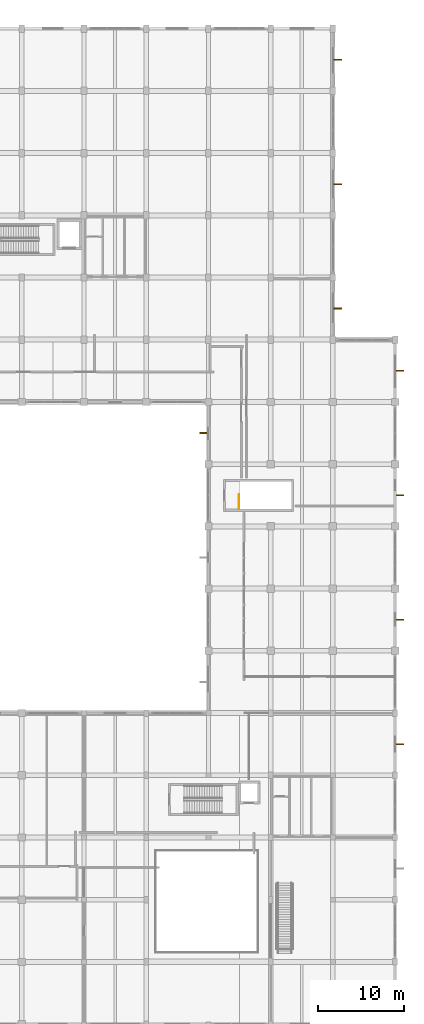
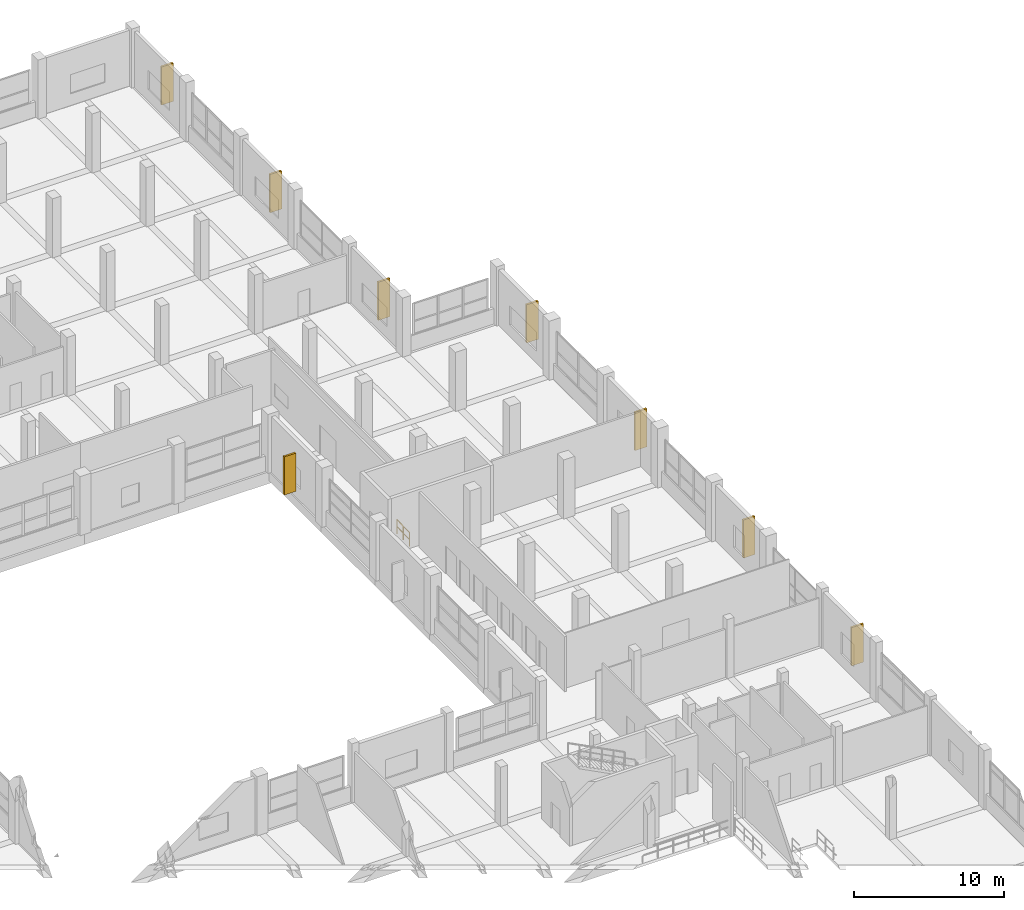
# One storey, part 181 of 181: 8 shading devices, 1 railing.
"""IFC4 building model written with IfcOpenShell, lengths in metres."""

from ifc_helpers import new_model, si_unit, direction, frame, origin, origin_2d, place, context, subcontext, project, spatial, rectangle, circle, extrude, material, type_object, element, save


model = new_model("IFC4")

# Units and contexts
model_context = context("Model", 3, precision=1e-05, world=origin(), true_north=direction((0.0, 1.0)))
body_context = subcontext(model_context, "Body", "Model", "MODEL_VIEW")
ifc_project = project(units=[si_unit("LENGTHUNIT", "METRE"), si_unit("AREAUNIT", "SQUARE_METRE"), si_unit("VOLUMEUNIT", "CUBIC_METRE"), si_unit("PLANEANGLEUNIT", "RADIAN"), si_unit("MASSUNIT", "GRAM", prefix="KILO")], contexts=[model_context])

# Site, building, storey
site_placement = place(None, origin())
site = spatial("IfcSite", under=ifc_project, at=site_placement, CompositionType="ELEMENT")
building_placement = place(site_placement, origin())
building = spatial("IfcBuilding", under=site, at=building_placement, Name="Seraya Terrace Polytechnic", CompositionType="ELEMENT")
storey_placement = place(building_placement, frame((0.0, 0.0, 4.800048828125)))
storey = spatial("IfcBuildingStorey", under=building, at=storey_placement, Name="L01", CompositionType="ELEMENT", Elevation=4.800048828125)

# Shading devices
ifc_material_1 = material(Name="Precast concrete C40/50", Category="concrete")
shading_device_type = type_object("IfcShadingDeviceType", Name="BS-F1", PredefinedType="JALOUSIE", material=ifc_material_1)
for number, where, z_axis, x_axis, name in (
    (1, (158.949951171875, 111.60009765625, 0.449951171875), (0.0, 0.0, 1.0), (1.0, 0.0, 0.0), "Precast concrete brise-soleil fin L01"),
    (2, (158.949951171875, 97.199951171875, 0.449951171875), (0.0, 0.0, 1.0), (1.0, 0.0, 0.0), "Precast concrete brise-soleil fin L01"),
    (3, (158.949951171875, 82.800048828125, 0.449951171875), (0.0, 0.0, 1.0), (1.0, 0.0, 0.0), "Precast concrete brise-soleil fin L01"),
    (4, (166.179931640625, 75.60009765625, 0.449951171875), (0.0, 0.0, 1.0), (1.0, 0.0, 0.0), "Precast concrete brise-soleil fin L01"),
    (5, (166.179931640625, 61.199951171875, 0.449951171875), (0.0, 0.0, 1.0), (1.0, 0.0, 0.0), "Precast concrete brise-soleil fin L01"),
    (6, (166.179931640625, 46.800048828125, 0.449951171875), (0.0, 0.0, 1.0), (1.0, 0.0, 0.0), "Precast concrete brise-soleil fin L01"),
    (7, (166.179931640625, 32.39990234375, 0.449951171875), (0.0, 0.0, 1.0), (1.0, 0.0, 0.0), "Precast concrete brise-soleil fin L01"),
    (8, (143.419921875, 68.39990234375, 0.449951171875), (0.0, 0.0, 1.0), (-1.0, 0.0, 0.0), "Precast concrete brise-soleil fin L01"),
):
    element("IfcShadingDevice", number, at=place(storey_placement, frame(where, z_axis=z_axis, x_axis=x_axis)), inside=storey, type_object=shading_device_type, Name=name, PredefinedType="JALOUSIE", context=body_context, shape_type="SweptSolid", body=[
        extrude(rectangle(XDim=0.89990234375, YDim=0.14990234375, at=origin_2d()), origin(), (0.0, 0.0, 1.0), 3.10009765625),
    ])

# Railing
ifc_material_2 = material(Name="Steel S355J2", Category="steel")
railing_type = type_object("IfcRailingType", Name="GR-02", PredefinedType="GUARDRAIL", material=ifc_material_2)
railing_placement = place(storey_placement, frame((147.550048828125, 59.60009765625, 0.0)))
element("IfcRailing", 9, at=railing_placement, inside=storey, type_object=railing_type, Name="L01 ST-11 top well guard 1", PredefinedType="GUARDRAIL", context=body_context, shape_type="SweptSolid", body=[
    extrude(circle(Radius=0.02392578125, at=origin_2d()), frame((0.0, 0.0, 1.10595703125), z_axis=(0.0, 1.0, 0.0), x_axis=(-1.0, 0.0, 0.0)), (0.0, 0.0, 1.0), 1.699951171875),
    extrude(circle(Radius=0.02392578125, at=origin_2d()), frame((0.0, 0.0, 0.550048828125), z_axis=(0.0, 1.0, 0.0), x_axis=(-1.0, 0.0, 0.0)), (0.0, 0.0, 1.0), 1.699951171875),
    extrude(circle(Radius=0.02099609375, at=origin_2d()), origin(), (0.0, 0.0, 1.0), 1.081787109375),
    extrude(circle(Radius=0.02099609375, at=origin_2d()), frame((0.0, 0.85009765625, 0.0)), (0.0, 0.0, 1.0), 1.081787109375),
    extrude(circle(Radius=0.02099609375, at=origin_2d()), frame((0.0, 1.699951171875, 0.0)), (0.0, 0.0, 1.0), 1.081787109375),
])

save(model, "model.ifc")
